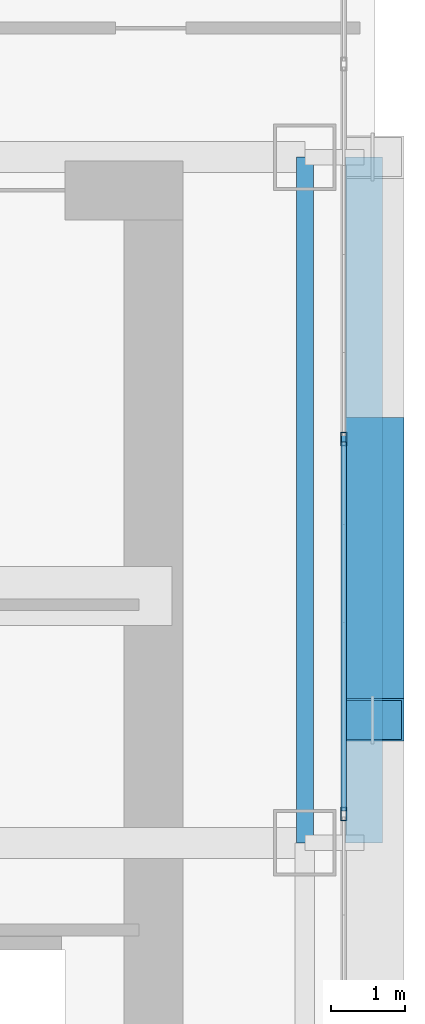
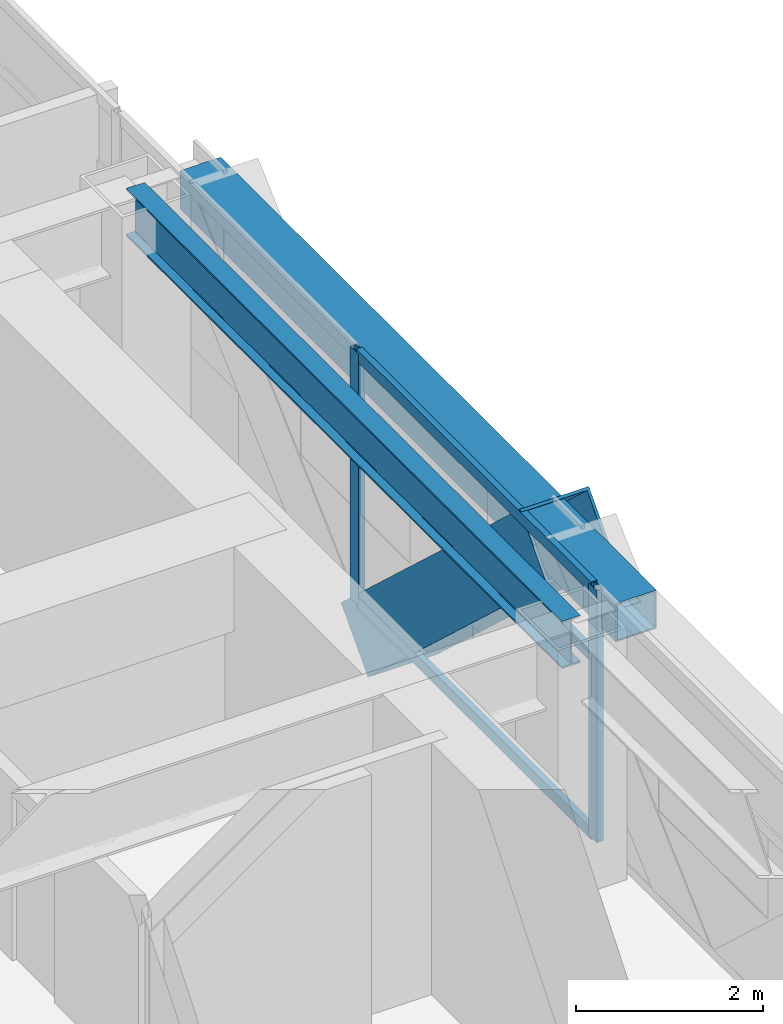
# One storey, part 15 of 35: 6 members, 2 beams, 1 element without a shape of its own.
"""IFC4 building model written with IfcOpenShell, lengths in metres."""

from ifc_helpers import new_model, si_unit, direction, frame, origin, origin_2d, place, context, subcontext, project, spatial, hollow_rectangle, i_section, extrude, source, transform, mapped, material, layer, layer_set, material_profile, profile_set, type_object, element, aggregate, save


model = new_model("IFC4")

# Units and contexts
model_context = context("Model", 3, precision=1e-05, world=origin(), true_north=direction((0.0, 1.0)))
body_context = subcontext(model_context, "Body", "Model", "MODEL_VIEW")
ifc_project = project(units=[si_unit("LENGTHUNIT", "METRE"), si_unit("AREAUNIT", "SQUARE_METRE"), si_unit("VOLUMEUNIT", "CUBIC_METRE"), si_unit("PLANEANGLEUNIT", "RADIAN"), si_unit("MASSUNIT", "GRAM", prefix="KILO")], contexts=[model_context])

# Site, building, storey
site_placement = place(None, origin())
site = spatial("IfcSite", under=ifc_project, at=site_placement, CompositionType="ELEMENT")
building_placement = place(site_placement, origin())
building = spatial("IfcBuilding", under=site, at=building_placement, Name="Ocotamira Hotel", CompositionType="ELEMENT")
storey_placement = place(building_placement, frame((0.0, 0.0, 81.60009765625)))
storey = spatial("IfcBuildingStorey", under=building, at=storey_placement, Name="L20", CompositionType="ELEMENT", Elevation=81.60009765625)

# Beams
ifc_material_1 = material(Name="Steel ASTM A992 Grade 50", Category="steel")
ifc_material_profile_1 = material_profile(ifc_material_1, i_section(OverallWidth=0.22998046875, OverallDepth=0.616943359375, WebThickness=0.01318359375, FlangeThickness=0.022216796875, FilletRadius=0.012939453125, at=origin_2d()), Name="W24X94")
ifc_profile_set_1 = profile_set([ifc_material_profile_1], Name="Steel ASTM A992 Grade 50")
beam_type_1 = type_object("IfcBeamType", Name="BM-PRIM-W24X94", PredefinedType="BEAM", material=ifc_profile_set_1)
shared_shape_1 = source(origin(), body_context, "Body", "SweptSolid", [
    extrude(i_section(OverallWidth=0.22998046875, OverallDepth=0.616943359375, WebThickness=0.01318359375, FlangeThickness=0.022216796875, FilletRadius=0.012939453125, at=origin_2d()), origin(), (0.0, 0.0, 1.0), 9.300048828125),
])
beam_1_placement = place(storey_placement, frame((55.050048828125, 28.14990234375, 2.971435546875), z_axis=(0.0, 1.0, 0.0), x_axis=(-1.0, 0.0, 0.0)))
element("IfcBeam", 1, at=beam_1_placement, inside=storey, type_object=beam_type_1, Name="L20 Beam X55.05 Y28.15-37.45", PredefinedType="BEAM", context=body_context, shape_type="MappedRepresentation", body=[
    mapped(shared_shape_1, transform((0.0, 0.0, 0.0), scale=1.0)),
])
ifc_material_2 = material(Name="Steel ASTM A500 Grade C", Category="steel")
ifc_material_profile_2 = material_profile(ifc_material_2, hollow_rectangle(XDim=0.5, YDim=0.5, WallThickness=0.02001953125, at=origin_2d()), Name="HSS500X500X20")
ifc_profile_set_2 = profile_set([ifc_material_profile_2], Name="Steel ASTM A500 Grade C")
beam_type_2 = type_object("IfcBeamType", Name="BM-SPAN-HSS500", PredefinedType="USERDEFINED", material=ifc_profile_set_2)
shared_shape_2 = source(origin(), body_context, "Body", "SweptSolid", [
    extrude(hollow_rectangle(XDim=0.5, YDim=0.5, WallThickness=0.02001953125, at=origin_2d()), origin(), (0.0, 0.0, 1.0), 9.300048828125),
])
beam_2_placement = place(storey_placement, frame((55.85009765625, 28.14990234375, 3.02978515625), z_axis=(0.0, 1.0, 0.0), x_axis=(-1.0, 0.0, 0.0)))
element("IfcBeam", 2, at=beam_2_placement, inside=storey, type_object=beam_type_2, Name="L20 Edge Spandrel E Y28.15-37.45", ObjectType="SPANDREL", PredefinedType="USERDEFINED", context=body_context, shape_type="MappedRepresentation", body=[
    mapped(shared_shape_2, transform((0.0, 0.0, 0.0), scale=1.0)),
])

# Member
ifc_material_3 = material(Name="Pale-metal coated steel ASTM A913 Grade 65", Category="steel")
ifc_material_profile_3 = material_profile(ifc_material_3, hollow_rectangle(XDim=0.85009765625, YDim=0.85009765625, WallThickness=0.035888671875, at=origin_2d()), Name="BOX850X850X36")
ifc_profile_set_3 = profile_set([ifc_material_profile_3], Name="Pale-metal coated steel ASTM A913 Grade 65")
member_type_1 = type_object("IfcMemberType", Name="MEM-EXO-BOX850", PredefinedType="BRACE", material=ifc_profile_set_3)
shared_shape_3 = source(origin(), body_context, "Body", "SweptSolid", [
    extrude(hollow_rectangle(XDim=0.85009765625, YDim=0.85009765625, WallThickness=0.035888671875, at=origin_2d()), origin(), (0.0, 0.0, 1.0), 5.19873046875),
])
member_1_placement = place(storey_placement, frame((55.969970703125, 33.63330078125, -0.5), z_axis=(0.0, -0.734158546733, 0.67897807642), x_axis=(1.0, 0.0, 0.0)))
element("IfcMember", 3, at=member_1_placement, inside=storey, type_object=member_type_1, Name="L20 Exoskeleton Diagrid E2.1", PredefinedType="BRACE", context=body_context, shape_type="MappedRepresentation", body=[
    mapped(shared_shape_3, transform((0.0, 0.0, 0.0), scale=1.0)),
])

# Curtain wall, members
ifc_material_4 = material(Name="Anodised pale-metal aluminium and solar glass", Category="aluminium")
ifc_layer = layer(ifc_material_4, 0.179931640625)
ifc_layer_set = layer_set([ifc_layer], Name="Anodised pale-metal aluminium and solar glass")
curtain_wall_type = type_object("IfcCurtainWallType", Name="CW-SYS2-Z1", PredefinedType="NOTDEFINED", material=ifc_layer_set)
curtain_wall_placement = place(storey_placement, origin())
curtain_wall = element("IfcCurtainWall", 4, at=curtain_wall_placement, inside=storey, type_object=curtain_wall_type, Name="L20 Curtain Wall CW-2 CW-L20-E", PredefinedType="NOTDEFINED")
ifc_material_5 = material(Name="Anodised pale-metal aluminium 6063-T6", Category="aluminium")
ifc_material_profile_4 = material_profile(ifc_material_5, hollow_rectangle(XDim=0.074951171875, YDim=0.14990234375, WallThickness=0.006103515625, at=origin_2d()), Name="HSS150X75X6")
ifc_profile_set_4 = profile_set([ifc_material_profile_4], Name="Anodised pale-metal aluminium 6063-T6")
member_type_2 = type_object("IfcMemberType", Name="CWT-150X75", PredefinedType="USERDEFINED", material=ifc_profile_set_4)
shared_shape_4 = source(origin(), body_context, "Body", "SweptSolid", [
    extrude(hollow_rectangle(XDim=0.074951171875, YDim=0.14990234375, WallThickness=0.006103515625, at=origin_2d()), origin(), (0.0, 0.0, 1.0), 5.005859375),
])
member_2_placement = place(storey_placement, frame((55.580078125, 28.582763671875, 0.037353515625), z_axis=(0.0, 1.0, 0.0), x_axis=(-1.0, 0.0, 0.0)))
member_2 = element("IfcMember", 5, at=member_2_placement, type_object=member_type_2, Name="CW-2 transom 5.1", ObjectType="TRANSOM", PredefinedType="USERDEFINED", context=body_context, shape_type="MappedRepresentation", body=[
    mapped(shared_shape_4, transform((0.0, 0.0, 0.0), scale=1.0)),
])
member_3_placement = place(storey_placement, frame((55.580078125, 28.582763671875, 2.349853515625), z_axis=(0.0, 1.0, 0.0), x_axis=(-1.0, 0.0, 0.0)))
member_3 = element("IfcMember", 6, at=member_3_placement, type_object=member_type_2, Name="CW-2 transom 5.2", ObjectType="TRANSOM", PredefinedType="USERDEFINED", context=body_context, shape_type="MappedRepresentation", body=[
    mapped(shared_shape_4, transform((0.0, 0.0, 0.0), scale=1.0)),
])
member_4_placement = place(storey_placement, frame((55.580078125, 28.582763671875, 3.242431640625), z_axis=(0.0, 1.0, 0.0), x_axis=(-1.0, 0.0, 0.0)))
member_4 = element("IfcMember", 7, at=member_4_placement, type_object=member_type_2, Name="CW-2 transom 5.3", ObjectType="TRANSOM", PredefinedType="USERDEFINED", context=body_context, shape_type="MappedRepresentation", body=[
    mapped(shared_shape_4, transform((0.0, 0.0, 0.0), scale=1.0)),
])
ifc_material_profile_5 = material_profile(ifc_material_5, hollow_rectangle(XDim=0.080078125, YDim=0.179931640625, WallThickness=0.006103515625, at=origin_2d()), Name="HSS180X80X6")
ifc_profile_set_5 = profile_set([ifc_material_profile_5], Name="Anodised pale-metal aluminium 6063-T6")
member_type_3 = type_object("IfcMemberType", Name="CWM-180X75", PredefinedType="MULLION", material=ifc_profile_set_5)
shared_shape_5 = source(origin(), body_context, "Body", "SweptSolid", [
    extrude(hollow_rectangle(XDim=0.080078125, YDim=0.179931640625, WallThickness=0.006103515625, at=origin_2d()), origin(), (0.0, 0.0, 1.0), 3.27978515625),
])
member_5_placement = place(storey_placement, frame((55.580078125, 28.54296875, 0.0), z_axis=(0.0, 0.0, 1.0), x_axis=(-1.0, 0.0, 0.0)))
member_5 = element("IfcMember", 8, at=member_5_placement, type_object=member_type_3, Name="CW-2 mullion 5", PredefinedType="MULLION", context=body_context, shape_type="MappedRepresentation", body=[
    mapped(shared_shape_5, transform((0.0, 0.0, 0.0), scale=1.0)),
])
member_6_placement = place(storey_placement, frame((55.580078125, 33.628662109375, 0.0), z_axis=(0.0, 0.0, 1.0), x_axis=(-1.0, 0.0, 0.0)))
member_6 = element("IfcMember", 9, at=member_6_placement, type_object=member_type_3, Name="CW-2 mullion 6", PredefinedType="MULLION", context=body_context, shape_type="MappedRepresentation", body=[
    mapped(shared_shape_5, transform((0.0, 0.0, 0.0), scale=1.0)),
])
aggregate(curtain_wall, [member_5, member_6, member_2, member_3, member_4])

save(model, "model.ifc")
